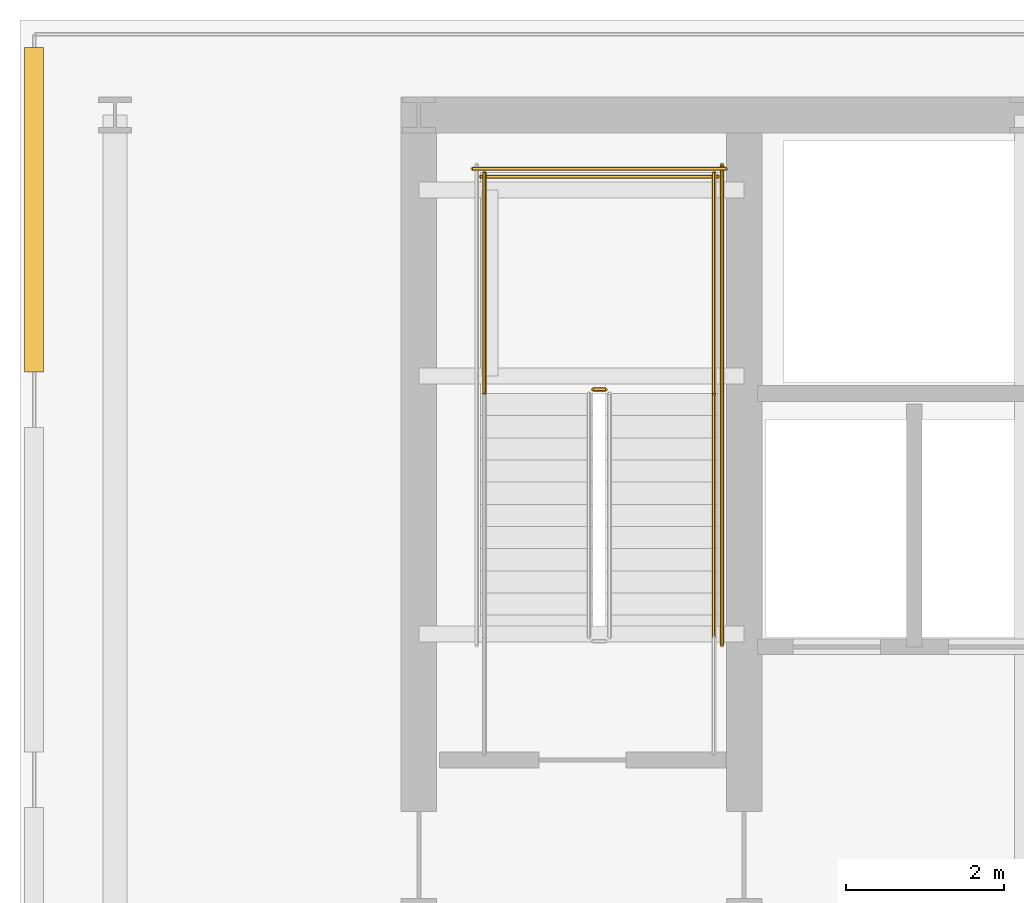
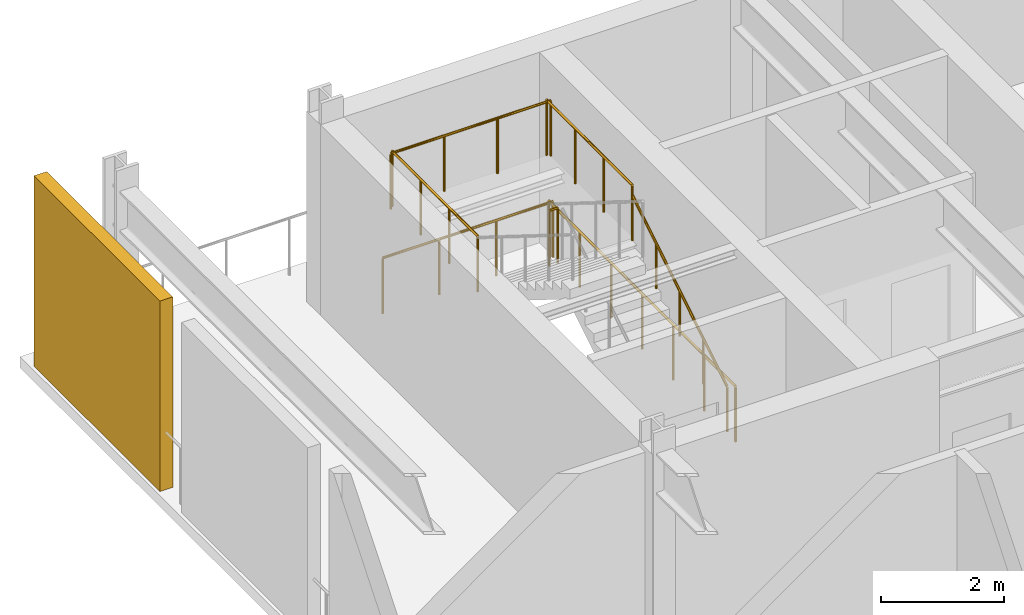
# One storey, part 6 of 8: 7 railings, 1 shading device.
"""IFC4 building model written with IfcOpenShell, lengths in metres."""

from ifc_helpers import new_model, si_unit, direction, frame, origin, origin_2d, place, context, subcontext, project, spatial, rectangle, circle, extrude, material, layer, layer_set, type_object, element, save


model = new_model("IFC4")

# Units and contexts
model_context = context("Model", 3, precision=1e-05, world=origin(), true_north=direction((0.0, 1.0)))
body_context = subcontext(model_context, "Body", "Model", "MODEL_VIEW")
ifc_project = project(units=[si_unit("LENGTHUNIT", "METRE"), si_unit("AREAUNIT", "SQUARE_METRE"), si_unit("VOLUMEUNIT", "CUBIC_METRE"), si_unit("PLANEANGLEUNIT", "RADIAN"), si_unit("MASSUNIT", "GRAM", prefix="KILO")], contexts=[model_context])

# Site, building, storey
site_placement = place(None, origin())
site = spatial("IfcSite", under=ifc_project, at=site_placement, CompositionType="ELEMENT")
building_placement = place(site_placement, origin())
building = spatial("IfcBuilding", under=site, at=building_placement, Name="Yelkora Congress Tower", CompositionType="ELEMENT")
storey_placement = place(building_placement, frame((0.0, 0.0, 196.10009765625)))
storey = spatial("IfcBuildingStorey", under=building, at=storey_placement, Name="L54", CompositionType="ELEMENT", Elevation=196.10009765625)

# Railings
ifc_material_1 = material(Name="Painted galvanised steel stair well guard with vertical infill", Category="steel")
ifc_layer_1 = layer(ifc_material_1, 0.06005859375)
ifc_layer_set_1 = layer_set([ifc_layer_1], Name="Painted galvanised steel stair well guard with vertical infill")
railing_type_1 = type_object("IfcRailingType", Name="RAIL-STAIR-GUARD-1120", PredefinedType="GUARDRAIL", material=ifc_layer_set_1)
railing_1_placement = place(storey_placement, frame((25.39990234375, 42.72998046875, 2.099853515625)))
element("IfcRailing", 1, at=railing_1_placement, inside=storey, type_object=railing_type_1, Name="ST-01 L54 Stair Well Guardrail 2", PredefinedType="GUARDRAIL", context=body_context, shape_type="SweptSolid", body=[
    extrude(circle(Radius=0.02392578125, at=origin_2d()), frame((0.0, 0.0, 1.09619140625), z_axis=(-1.0, 0.0, 0.0), x_axis=(0.0, -1.0, 0.0)), (0.0, 0.0, 1.0), 0.159912109375),
    extrude(circle(Radius=0.02099609375, at=origin_2d()), origin(), (0.0, 0.0, 1.0), 1.072021484375),
    extrude(circle(Radius=0.02099609375, at=origin_2d()), frame((-0.159912109375, 0.0, 0.0)), (0.0, 0.0, 1.0), 1.072021484375),
])
for number, where, name in (
    (2, (26.77001953125, 42.679931640625, 2.099853515625), "ST-01 L54 Stair Well Guardrail 3"),
    (3, (23.8701171875, 42.679931640625, 2.099853515625), "ST-01 L54 Stair Well Guardrail 4"),
):
    element("IfcRailing", number, at=place(storey_placement, frame(where)), inside=storey, type_object=railing_type_1, Name=name, PredefinedType="GUARDRAIL", context=body_context, shape_type="SweptSolid", body=[
        extrude(circle(Radius=0.02392578125, at=origin_2d()), frame((0.0, 0.0, 1.09619140625), z_axis=(0.0, 1.0, 0.0), x_axis=(-1.0, 0.0, 0.0)), (0.0, 0.0, 1.0), 2.7900390625),
        extrude(circle(Radius=0.02099609375, at=origin_2d()), origin(), (0.0, 0.0, 1.0), 1.072021484375),
        extrude(circle(Radius=0.02099609375, at=origin_2d()), frame((0.0, 0.929931640625, 0.0)), (0.0, 0.0, 1.0), 1.072021484375),
        extrude(circle(Radius=0.02099609375, at=origin_2d()), frame((0.0, 1.860107421875, 0.0)), (0.0, 0.0, 1.0), 1.072021484375),
        extrude(circle(Radius=0.02099609375, at=origin_2d()), frame((0.0, 2.7900390625, 0.0)), (0.0, 0.0, 1.0), 1.072021484375),
    ])
railing_2_placement = place(storey_placement, frame((26.820068359375, 45.419921875, 2.099853515625)))
element("IfcRailing", 4, at=railing_2_placement, inside=storey, type_object=railing_type_1, Name="ST-01 L54 Stair Well Guardrail 5", PredefinedType="GUARDRAIL", context=body_context, shape_type="SweptSolid", body=[
    extrude(circle(Radius=0.02392578125, at=origin_2d()), frame((0.0, 0.0, 1.09619140625), z_axis=(-1.0, 0.0, 0.0), x_axis=(0.0, -1.0, 0.0)), (0.0, 0.0, 1.0), 3.0),
    extrude(circle(Radius=0.02099609375, at=origin_2d()), origin(), (0.0, 0.0, 1.0), 1.072021484375),
    extrude(circle(Radius=0.02099609375, at=origin_2d()), frame((-1.0, 0.0, 0.0)), (0.0, 0.0, 1.0), 1.072021484375),
    extrude(circle(Radius=0.02099609375, at=origin_2d()), frame((-2.0, 0.0, 0.0)), (0.0, 0.0, 1.0), 1.072021484375),
    extrude(circle(Radius=0.02099609375, at=origin_2d()), frame((-3.0, 0.0, 0.0)), (0.0, 0.0, 1.0), 1.072021484375),
])
railing_3_placement = place(storey_placement, frame((26.8701171875, 39.5, 0.0)))
element("IfcRailing", 5, at=railing_3_placement, inside=storey, type_object=railing_type_1, Name="ST-01 L54 Stair Well Guardrail 10", PredefinedType="GUARDRAIL", context=body_context, shape_type="SweptSolid", body=[
    extrude(circle(Radius=0.02392578125, at=origin_2d()), frame((0.0, 0.0, 1.09619140625), z_axis=(0.0, 1.0, 0.0), x_axis=(-1.0, 0.0, 0.0)), (0.0, 0.0, 1.0), 6.070068359375),
    extrude(circle(Radius=0.02099609375, at=origin_2d()), origin(), (0.0, 0.0, 1.0), 1.072021484375),
    extrude(circle(Radius=0.02099609375, at=origin_2d()), frame((0.0, 1.01171875, 0.0)), (0.0, 0.0, 1.0), 1.072021484375),
    extrude(circle(Radius=0.02099609375, at=origin_2d()), frame((0.0, 2.0234375, 0.0)), (0.0, 0.0, 1.0), 1.072021484375),
    extrude(circle(Radius=0.02099609375, at=origin_2d()), frame((0.0, 3.03515625, 0.0)), (0.0, 0.0, 1.0), 1.072021484375),
    extrude(circle(Radius=0.02099609375, at=origin_2d()), frame((0.0, 4.046630859375, 0.0)), (0.0, 0.0, 1.0), 1.072021484375),
    extrude(circle(Radius=0.02099609375, at=origin_2d()), frame((0.0, 5.058349609375, 0.0)), (0.0, 0.0, 1.0), 1.072021484375),
    extrude(circle(Radius=0.02099609375, at=origin_2d()), frame((0.0, 6.070068359375, 0.0)), (0.0, 0.0, 1.0), 1.072021484375),
])
railing_4_placement = place(storey_placement, frame((26.919921875, 45.52001953125, 0.0)))
element("IfcRailing", 6, at=railing_4_placement, inside=storey, type_object=railing_type_1, Name="ST-01 L54 Stair Well Guardrail 12", PredefinedType="GUARDRAIL", context=body_context, shape_type="SweptSolid", body=[
    extrude(circle(Radius=0.02392578125, at=origin_2d()), frame((0.0, 0.0, 1.09619140625), z_axis=(-1.0, 0.0, 0.0), x_axis=(0.0, -1.0, 0.0)), (0.0, 0.0, 1.0), 3.199951171875),
    extrude(circle(Radius=0.02099609375, at=origin_2d()), origin(), (0.0, 0.0, 1.0), 1.072021484375),
    extrude(circle(Radius=0.02099609375, at=origin_2d()), frame((-1.066650390625, 0.0, 0.0)), (0.0, 0.0, 1.0), 1.072021484375),
    extrude(circle(Radius=0.02099609375, at=origin_2d()), frame((-2.13330078125, 0.0, 0.0)), (0.0, 0.0, 1.0), 1.072021484375),
    extrude(circle(Radius=0.02099609375, at=origin_2d()), frame((-3.199951171875, 0.0, 0.0)), (0.0, 0.0, 1.0), 1.072021484375),
])
ifc_material_2 = material(Name="Brushed stainless steel tubular handrail", Category="steel")
ifc_layer_2 = layer(ifc_material_2, 0.050048828125)
ifc_layer_set_2 = layer_set([ifc_layer_2], Name="Brushed stainless steel tubular handrail")
railing_type_2 = type_object("IfcRailingType", Name="RAIL-STAIR-HAND-920", PredefinedType="HANDRAIL", material=ifc_layer_set_2)
railing_5_placement = place(storey_placement, frame((26.77001953125, 39.60009765625, 0.1748046875)))
element("IfcRailing", 7, at=railing_5_placement, inside=storey, type_object=railing_type_2, Name="ST-01 L54 Pitch Handrail 1", PredefinedType="HANDRAIL", context=body_context, shape_type="SweptSolid", body=[
    extrude(circle(Radius=0.02392578125, at=origin_2d()), frame((0.0, 0.0, 0.89599609375), z_axis=(0.0, 0.847979421464, 0.530029150871), x_axis=(-1.0, 0.0, 0.0)), (0.0, 0.0, 1.0), 3.632080078125),
    extrude(circle(Radius=0.02099609375, at=origin_2d()), origin(), (0.0, 0.0, 1.0), 0.871826171875),
    extrude(circle(Radius=0.02099609375, at=origin_2d()), frame((0.0, 0.77001953125, 0.481201171875)), (0.0, 0.0, 1.0), 0.871826171875),
    extrude(circle(Radius=0.02099609375, at=origin_2d()), frame((0.0, 1.5400390625, 0.96240234375)), (0.0, 0.0, 1.0), 0.871826171875),
    extrude(circle(Radius=0.02099609375, at=origin_2d()), frame((0.0, 2.309814453125, 1.44384765625)), (0.0, 0.0, 1.0), 0.871826171875),
    extrude(circle(Radius=0.02099609375, at=origin_2d()), frame((0.0, 3.079833984375, 1.925048828125)), (0.0, 0.0, 1.0), 0.871826171875),
])

# Shading device
ifc_material_3 = material(Name="Perforated anodised aluminium louvre", Category="aluminium")
ifc_layer_3 = layer(ifc_material_3, 3.39990234375)
ifc_layer_set_3 = layer_set([ifc_layer_3], Name="Perforated anodised aluminium louvre")
shading_device_type = type_object("IfcShadingDeviceType", Name="SHD-LOUVRE-WIND", PredefinedType="JALOUSIE", material=ifc_layer_set_3)
shading_device_placement = place(storey_placement, frame((18.179931640625, 45.0, 0.0), z_axis=(0.0, 0.0, 1.0), x_axis=(1.0, 0.0, 0.0)))
element("IfcShadingDevice", 8, at=shading_device_placement, inside=storey, type_object=shading_device_type, Name="L54 Acoustic Wind-Floor Louvre Screen W5", PredefinedType="JALOUSIE", context=body_context, shape_type="SweptSolid", body=[
    extrude(rectangle(XDim=0.239990234375, YDim=4.10009765625, at=origin_2d()), origin(), (0.0, 0.0, 1.0), 3.780029296875),
])

save(model, "model.ifc")
